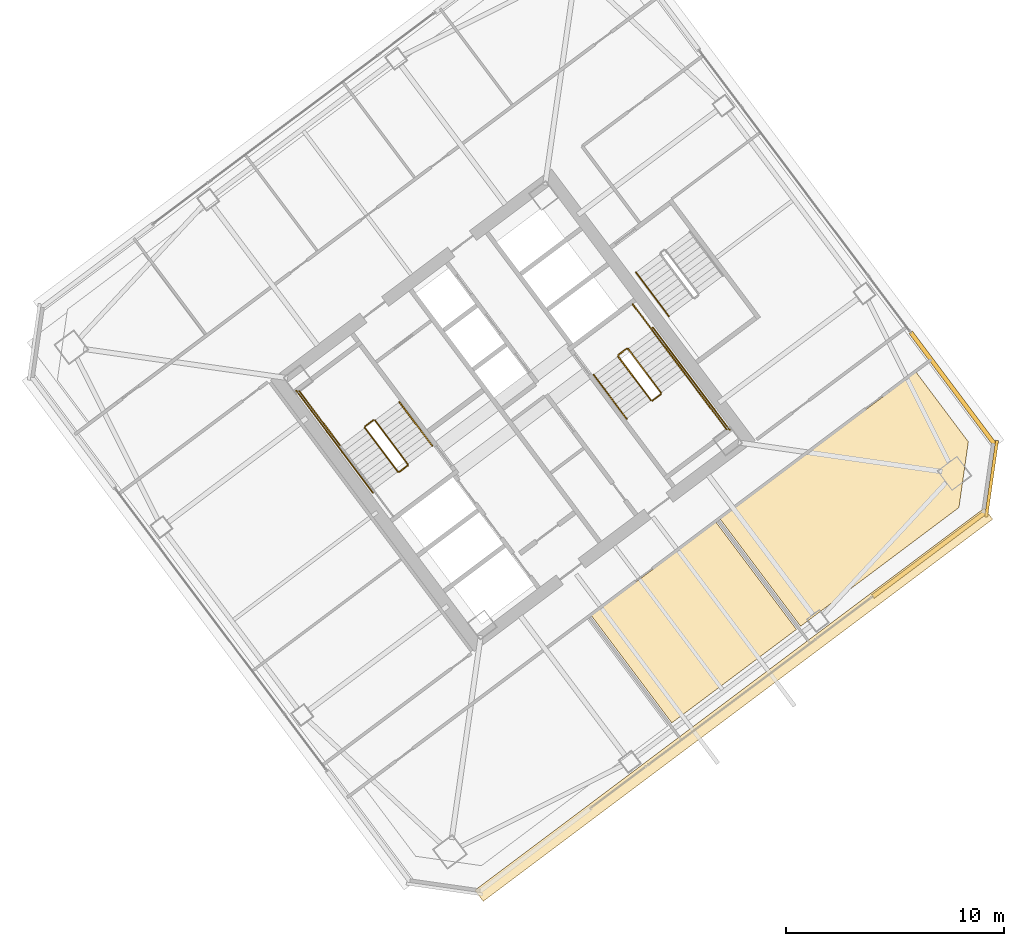
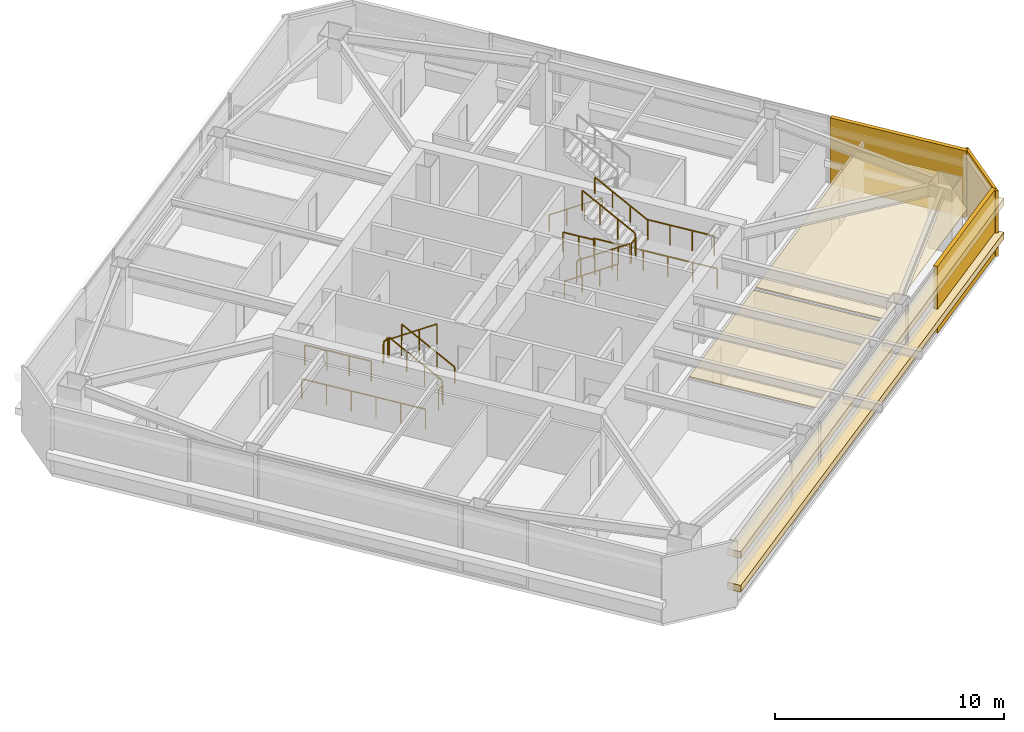
# One storey, part 40 of 42: 17 railings, 7 coverings.
"""IFC4 building model written with IfcOpenShell, lengths in metres."""

from ifc_helpers import new_model, si_unit, direction, frame, origin, origin_2d, place, context, subcontext, project, spatial, polyline, rectangle, outline, extrude, material, layer, layer_set, type_object, element, save


model = new_model("IFC4")

# Units and contexts
model_context = context("Model", 3, precision=1e-05, world=origin(), true_north=direction((0.0, 1.0)))
body_context = subcontext(model_context, "Body", "Model", "MODEL_VIEW")
ifc_project = project(units=[si_unit("LENGTHUNIT", "METRE"), si_unit("AREAUNIT", "SQUARE_METRE"), si_unit("VOLUMEUNIT", "CUBIC_METRE"), si_unit("PLANEANGLEUNIT", "RADIAN"), si_unit("MASSUNIT", "GRAM", prefix="KILO")], contexts=[model_context])

# Site, building, storey
site_placement = place(None, origin())
site = spatial("IfcSite", under=ifc_project, at=site_placement, CompositionType="ELEMENT")
building_placement = place(site_placement, origin())
building = spatial("IfcBuilding", under=site, at=building_placement, Name="Tashvorn Skyway Center", CompositionType="ELEMENT")
storey_placement = place(building_placement, frame((0.0, 0.0, 164.10009765625)))
storey = spatial("IfcBuildingStorey", under=building, at=storey_placement, Name="L44", CompositionType="ELEMENT", Elevation=164.10009765625)

# Coverings
ifc_material_1 = material(Name="Precast concrete C40/50", Category="concrete")
ifc_layer_1 = layer(ifc_material_1, 0.199951171875)
ifc_layer_set_1 = layer_set([ifc_layer_1], Name="Precast concrete C40/50")
covering_type_1 = type_object("IfcCoveringType", Name="COV-BRACE-CLAD", PredefinedType="CLADDING", material=ifc_layer_set_1)
for number, where, z_axis, x_axis, name in (
    (1, (133.139892578125, 25.3798828125, 0.0), (0.0, 0.0, 1.0), (-0.799999996291, -0.600000004945, 0.0), "Tower 2 L44 South Unitised Curtain Wall Mega-Brace Cladding Band 1"),
    (2, (134.22802734375, 32.99609375, 0.0), (0.0, 0.0, 1.0), (0.600000004945, -0.799999996291, 0.0), "Tower 2 L44 East Unitised Curtain Wall Mega-Brace Cladding Band 2"),
):
    element("IfcCovering", number, at=place(storey_placement, frame(where, z_axis=z_axis, x_axis=x_axis)), inside=storey, type_object=covering_type_1, Name=name, PredefinedType="CLADDING", context=body_context, shape_type="SweptSolid", body=[
        extrude(rectangle(XDim=6.47998046875, YDim=0.199951171875, at=origin_2d()), origin(), (0.0, 0.0, 1.0), 3.550048828125),
    ])
ifc_material_2 = material(Name="Mineral-fibre acoustic ceiling tile on suspended grid")
ifc_layer_2 = layer(ifc_material_2, 0.02001953125)
ifc_layer_set_2 = layer_set([ifc_layer_2], Name="Mineral-fibre acoustic ceiling tile on suspended grid")
covering_type_2 = type_object("IfcCoveringType", Name="COV-CEIL-20", PredefinedType="CEILING", material=ifc_layer_set_2)
covering_1_placement = place(storey_placement, frame((0.0, 0.0, 2.702880859375)))
element("IfcCovering", 3, at=covering_1_placement, inside=storey, type_object=covering_type_2, Name="Tower 2 L44 Staff Fitness Club Acoustic Ceiling", PredefinedType="CEILING", context=body_context, shape_type="SweptSolid", body=[
    extrude(outline(polyline([(117.60205078125, 22.56396484375), (123.330078125, 26.860107421875), (127.031982421875, 21.924072265625), (121.303955078125, 17.6279296875), (117.60205078125, 22.56396484375)])), origin(), (0.0, 0.0, 1.0), 0.02001953125),
])
covering_2_placement = place(storey_placement, frame((0.0, 0.0, 2.702880859375)))
element("IfcCovering", 4, at=covering_2_placement, inside=storey, type_object=covering_type_2, Name="Tower 2 L44 Staff Fitness Club Acoustic Ceiling", PredefinedType="CEILING", context=body_context, shape_type="SweptSolid", body=[
    extrude(outline(polyline([(127.22412109375, 22.068115234375), (123.52197265625, 27.00390625), (132.530029296875, 33.760009765625), (134.93603515625, 30.552001953125), (134.50390625, 27.528076171875), (127.22412109375, 22.068115234375)])), origin(), (0.0, 0.0, 1.0), 0.02001953125),
])
ifc_material_3 = material(Name="Perforated ceramic-coated bronze aluminium solar screen", Category="aluminium")
ifc_layer_3 = layer(ifc_material_3, 0.85009765625)
ifc_layer_set_3 = layer_set([ifc_layer_3], Name="Perforated ceramic-coated bronze aluminium solar screen")
covering_type_3 = type_object("IfcCoveringType", Name="COV-SOLAR-BAND", PredefinedType="CLADDING", material=ifc_layer_set_3)
for number, where, z_axis, x_axis, name in (
    (5, (124.152099609375, 18.464111328125, 0.919921875), (0.0, 0.0, 1.0), (-0.799999996291, -0.600000004945, 0.0), "L44 Perforated Ceramic-Metal Solar Screen Louvre Band South 1"),
    (6, (124.152099609375, 18.464111328125, 2.7197265625), (0.0, 0.0, 1.0), (-0.799999996291, -0.600000004945, 0.0), "L44 Perforated Ceramic-Metal Solar Screen Louvre Band South 2"),
):
    element("IfcCovering", number, at=place(storey_placement, frame(where, z_axis=z_axis, x_axis=x_axis)), inside=storey, type_object=covering_type_3, Name=name, PredefinedType="CLADDING", context=body_context, shape_type="SweptSolid", body=[
        extrude(rectangle(XDim=29.280029296875, YDim=0.639892578125, at=origin_2d()), origin(), (0.0, 0.0, 1.0), 0.360107421875),
    ])
ifc_layer_4 = layer(ifc_material_1, 0.35009765625)
ifc_layer_set_4 = layer_set([ifc_layer_4], Name="Precast concrete C40/50")
covering_type_4 = type_object("IfcCoveringType", Name="COV-STONE-TRIM", PredefinedType="CLADDING", material=ifc_layer_set_4)
covering_3_placement = place(storey_placement, frame((136.008056640625, 28.85595703125, 0.02001953125), z_axis=(0.0, 0.0, 1.0), x_axis=(0.141421350118, 0.989949494535, 0.0)))
element("IfcCovering", 7, at=covering_3_placement, inside=storey, type_object=covering_type_4, Name="Tower 2 L44 SE Mojave Limestone Corner Quoin", PredefinedType="CLADDING", context=body_context, shape_type="SweptSolid", body=[
    extrude(rectangle(XDim=3.55419921875, YDim=0.139892578125, at=origin_2d()), origin(), (0.0, 0.0, 1.0), 3.510009765625),
])

# Railings
ifc_material_4 = material(Name="Brushed stainless steel 316", Category="steel")
railing_type_1 = type_object("IfcRailingType", Name="RAIL-HAND-920", PredefinedType="HANDRAIL", material=ifc_material_4)
railing_1_placement = place(storey_placement, frame((110.2880859375, 30.365966796875, 0.177490234375)))
element("IfcRailing", 8, at=railing_1_placement, inside=storey, type_object=railing_type_1, Name="L44 ST-T2-1 stair handrail 1", PredefinedType="HANDRAIL", context=body_context, shape_type="SweptSolid", body=[
    extrude(rectangle(XDim=0.048095703125, YDim=0.048095703125, at=origin_2d()), frame((0.0, 0.0, 0.8759765625), z_axis=(-0.506801609611, 0.675680931896, 0.535357270211), x_axis=(-0.799976749893, -0.600030998891, 0.0)), (0.0, 0.0, 1.0), 2.98388671875),
    extrude(rectangle(XDim=0.0419921875, YDim=0.0419921875, at=origin_2d()), origin(), (0.0, 0.0, 1.0), 0.851806640625),
    extrude(rectangle(XDim=0.0419921875, YDim=0.0419921875, at=origin_2d()), frame((-0.504150390625, 0.672119140625, 0.532470703125)), (0.0, 0.0, 1.0), 0.851806640625),
    extrude(rectangle(XDim=0.0419921875, YDim=0.0419921875, at=origin_2d()), frame((-1.008056640625, 1.343994140625, 1.06494140625)), (0.0, 0.0, 1.0), 0.851806640625),
    extrude(rectangle(XDim=0.0419921875, YDim=0.0419921875, at=origin_2d()), frame((-1.51220703125, 2.01611328125, 1.597412109375)), (0.0, 0.0, 1.0), 0.851806640625),
])
railing_2_placement = place(storey_placement, frame((117.7119140625, 33.634033203125, 0.177490234375)))
element("IfcRailing", 9, at=railing_2_placement, inside=storey, type_object=railing_type_1, Name="L44 ST-T2-2 stair handrail 1", PredefinedType="HANDRAIL", context=body_context, shape_type="SweptSolid", body=[
    extrude(rectangle(XDim=0.048095703125, YDim=0.048095703125, at=origin_2d()), frame((0.0, 0.0, 0.8759765625), z_axis=(0.506801609611, -0.675680931896, 0.535357270211), x_axis=(0.799976749893, 0.600030998891, 0.0)), (0.0, 0.0, 1.0), 2.98388671875),
    extrude(rectangle(XDim=0.0419921875, YDim=0.0419921875, at=origin_2d()), origin(), (0.0, 0.0, 1.0), 0.851806640625),
    extrude(rectangle(XDim=0.0419921875, YDim=0.0419921875, at=origin_2d()), frame((0.504150390625, -0.672119140625, 0.532470703125)), (0.0, 0.0, 1.0), 0.851806640625),
    extrude(rectangle(XDim=0.0419921875, YDim=0.0419921875, at=origin_2d()), frame((1.008056640625, -1.343994140625, 1.06494140625)), (0.0, 0.0, 1.0), 0.851806640625),
    extrude(rectangle(XDim=0.0419921875, YDim=0.0419921875, at=origin_2d()), frame((1.51220703125, -2.01611328125, 1.597412109375)), (0.0, 0.0, 1.0), 0.851806640625),
])
railing_3_placement = place(storey_placement, frame((121.927978515625, 33.64599609375, 1.952392578125)))
element("IfcRailing", 10, at=railing_3_placement, inside=storey, type_object=railing_type_1, Name="L44 ST-T2-2 stair handrail 2", PredefinedType="HANDRAIL", context=body_context, shape_type="SweptSolid", body=[
    extrude(rectangle(XDim=0.048095703125, YDim=0.048095703125, at=origin_2d()), frame((0.0, 0.0, 0.8759765625), z_axis=(-0.506740800098, 0.675708949977, 0.535379469569), x_axis=(-0.800023250257, -0.599968998406, 0.0)), (0.0, 0.0, 1.0), 2.983642578125),
    extrude(rectangle(XDim=0.0419921875, YDim=0.0419921875, at=origin_2d()), origin(), (0.0, 0.0, 1.0), 0.851806640625),
    extrude(rectangle(XDim=0.0419921875, YDim=0.0419921875, at=origin_2d()), frame((-0.50390625, 0.672119140625, 0.532470703125)), (0.0, 0.0, 1.0), 0.851806640625),
    extrude(rectangle(XDim=0.0419921875, YDim=0.0419921875, at=origin_2d()), frame((-1.008056640625, 1.343994140625, 1.06494140625)), (0.0, 0.0, 1.0), 0.851806640625),
    extrude(rectangle(XDim=0.0419921875, YDim=0.0419921875, at=origin_2d()), frame((-1.511962890625, 2.01611328125, 1.597412109375)), (0.0, 0.0, 1.0), 0.851806640625),
])
railing_4_placement = place(storey_placement, frame((119.656005859375, 38.342041015625, 0.177490234375)))
element("IfcRailing", 11, at=railing_4_placement, inside=storey, type_object=railing_type_1, Name="L44 ST-T2-3 stair handrail 1", PredefinedType="HANDRAIL", context=body_context, shape_type="SweptSolid", body=[
    extrude(rectangle(XDim=0.048095703125, YDim=0.048095703125, at=origin_2d()), frame((0.0, 0.0, 0.8759765625), z_axis=(0.506740800098, -0.675708949977, 0.535379469569), x_axis=(0.800023250257, 0.599968998406, 0.0)), (0.0, 0.0, 1.0), 2.983642578125),
    extrude(rectangle(XDim=0.0419921875, YDim=0.0419921875, at=origin_2d()), origin(), (0.0, 0.0, 1.0), 0.851806640625),
    extrude(rectangle(XDim=0.0419921875, YDim=0.0419921875, at=origin_2d()), frame((0.50390625, -0.672119140625, 0.532470703125)), (0.0, 0.0, 1.0), 0.851806640625),
    extrude(rectangle(XDim=0.0419921875, YDim=0.0419921875, at=origin_2d()), frame((1.008056640625, -1.343994140625, 1.06494140625)), (0.0, 0.0, 1.0), 0.851806640625),
    extrude(rectangle(XDim=0.0419921875, YDim=0.0419921875, at=origin_2d()), frame((1.511962890625, -2.01611328125, 1.597412109375)), (0.0, 0.0, 1.0), 0.851806640625),
])
ifc_material_5 = material(Name="Painted galvanized steel S355", Category="steel")
railing_type_2 = type_object("IfcRailingType", Name="RAIL-STGUARD-1100", PredefinedType="GUARDRAIL", material=ifc_material_5)
railing_5_placement = place(storey_placement, frame((109.16796875, 29.52587890625, 0.177490234375)))
element("IfcRailing", 12, at=railing_5_placement, inside=storey, type_object=railing_type_2, Name="L44 ST-T2-1 stair guard 1", PredefinedType="GUARDRAIL", context=body_context, shape_type="SweptSolid", body=[
    extrude(rectangle(XDim=0.048095703125, YDim=0.048095703125, at=origin_2d()), frame((0.0, 0.0, 1.076171875), z_axis=(-0.506740800098, 0.675708949977, 0.535379469569), x_axis=(-0.800023250257, -0.599968998406, 0.0)), (0.0, 0.0, 1.0), 2.983642578125),
    extrude(rectangle(XDim=0.0419921875, YDim=0.0419921875, at=origin_2d()), origin(), (0.0, 0.0, 1.0), 1.052001953125),
    extrude(rectangle(XDim=0.0419921875, YDim=0.0419921875, at=origin_2d()), frame((-0.50390625, 0.672119140625, 0.532470703125)), (0.0, 0.0, 1.0), 1.052001953125),
    extrude(rectangle(XDim=0.0419921875, YDim=0.0419921875, at=origin_2d()), frame((-1.008056640625, 1.343994140625, 1.06494140625)), (0.0, 0.0, 1.0), 1.052001953125),
    extrude(rectangle(XDim=0.0419921875, YDim=0.0419921875, at=origin_2d()), frame((-1.511962890625, 2.01611328125, 1.597412109375)), (0.0, 0.0, 1.0), 1.052001953125),
])
railing_6_placement = place(storey_placement, frame((107.5859375, 31.552001953125, 1.77490234375)))
element("IfcRailing", 13, at=railing_6_placement, inside=storey, type_object=railing_type_2, Name="L44 ST-T2-1 stair guard 2", PredefinedType="GUARDRAIL", context=body_context, shape_type="SweptSolid", body=[
    extrude(rectangle(XDim=0.048095703125, YDim=0.048095703125, at=origin_2d()), frame((0.0, 0.0, 1.076171875), z_axis=(-0.799938970639, -0.600081363861, 0.0), x_axis=(0.600081363861, -0.799938970639, 0.0)), (0.0, 0.0, 1.0), 0.47998046875),
    extrude(rectangle(XDim=0.0419921875, YDim=0.0419921875, at=origin_2d()), origin(), (0.0, 0.0, 1.0), 1.052001953125),
    extrude(rectangle(XDim=0.0419921875, YDim=0.0419921875, at=origin_2d()), frame((-0.384033203125, -0.2880859375, 0.0)), (0.0, 0.0, 1.0), 1.052001953125),
])
railing_7_placement = place(storey_placement, frame((106.072021484375, 30.35400390625, 1.77490234375)))
element("IfcRailing", 14, at=railing_7_placement, inside=storey, type_object=railing_type_2, Name="L44 ST-T2-1 stair guard 3", PredefinedType="GUARDRAIL", context=body_context, shape_type="SweptSolid", body=[
    extrude(rectangle(XDim=0.048095703125, YDim=0.048095703125, at=origin_2d()), frame((0.0, 0.0, 1.076171875), z_axis=(-0.599987638607, 0.800009270896, 0.0), x_axis=(-0.800009270896, -0.599987638607, 0.0)), (0.0, 0.0, 1.0), 3.16015625),
    extrude(rectangle(XDim=0.0419921875, YDim=0.0419921875, at=origin_2d()), origin(), (0.0, 0.0, 1.0), 1.052001953125),
    extrude(rectangle(XDim=0.0419921875, YDim=0.0419921875, at=origin_2d()), frame((-0.632080078125, 0.8427734375, 0.0)), (0.0, 0.0, 1.0), 1.052001953125),
    extrude(rectangle(XDim=0.0419921875, YDim=0.0419921875, at=origin_2d()), frame((-1.263916015625, 1.685302734375, 0.0)), (0.0, 0.0, 1.0), 1.052001953125),
    extrude(rectangle(XDim=0.0419921875, YDim=0.0419921875, at=origin_2d()), frame((-1.89599609375, 2.528076171875, 0.0)), (0.0, 0.0, 1.0), 1.052001953125),
])
railing_8_placement = place(storey_placement, frame((107.19189453125, 31.194091796875, 1.952392578125)))
element("IfcRailing", 15, at=railing_8_placement, inside=storey, type_object=railing_type_2, Name="L44 ST-T2-1 stair guard 4", PredefinedType="GUARDRAIL", context=body_context, shape_type="SweptSolid", body=[
    extrude(rectangle(XDim=0.048095703125, YDim=0.048095703125, at=origin_2d()), frame((0.0, 0.0, 1.076171875), z_axis=(0.506801609611, -0.675680931896, 0.535357270211), x_axis=(0.799976749893, 0.600030998891, 0.0)), (0.0, 0.0, 1.0), 2.98388671875),
    extrude(rectangle(XDim=0.0419921875, YDim=0.0419921875, at=origin_2d()), origin(), (0.0, 0.0, 1.0), 1.052001953125),
    extrude(rectangle(XDim=0.0419921875, YDim=0.0419921875, at=origin_2d()), frame((0.504150390625, -0.672119140625, 0.532470703125)), (0.0, 0.0, 1.0), 1.052001953125),
    extrude(rectangle(XDim=0.0419921875, YDim=0.0419921875, at=origin_2d()), frame((1.008056640625, -1.343994140625, 1.06494140625)), (0.0, 0.0, 1.0), 1.052001953125),
    extrude(rectangle(XDim=0.0419921875, YDim=0.0419921875, at=origin_2d()), frame((1.51220703125, -2.01611328125, 1.597412109375)), (0.0, 0.0, 1.0), 1.052001953125),
])
railing_9_placement = place(storey_placement, frame((109.157958984375, 29.4560546875, 0.0)))
element("IfcRailing", 16, at=railing_9_placement, inside=storey, type_object=railing_type_2, Name="L44 ST-T2-1 stair guard 5", PredefinedType="GUARDRAIL", context=body_context, shape_type="SweptSolid", body=[
    extrude(rectangle(XDim=0.048095703125, YDim=0.048095703125, at=origin_2d()), frame((0.0, 0.0, 1.076171875), z_axis=(-0.799938970639, -0.600081363861, 0.0), x_axis=(0.600081363861, -0.799938970639, 0.0)), (0.0, 0.0, 1.0), 0.47998046875),
    extrude(rectangle(XDim=0.0419921875, YDim=0.0419921875, at=origin_2d()), origin(), (0.0, 0.0, 1.0), 1.052001953125),
    extrude(rectangle(XDim=0.0419921875, YDim=0.0419921875, at=origin_2d()), frame((-0.384033203125, -0.2880859375, 0.0)), (0.0, 0.0, 1.0), 1.052001953125),
])
railing_10_placement = place(storey_placement, frame((107.56396484375, 28.197998046875, 0.0)))
element("IfcRailing", 17, at=railing_10_placement, inside=storey, type_object=railing_type_2, Name="L44 ST-T2-1 stair guard 7", PredefinedType="GUARDRAIL", context=body_context, shape_type="SweptSolid", body=[
    extrude(rectangle(XDim=0.048095703125, YDim=0.048095703125, at=origin_2d()), frame((0.0, 0.0, 1.076171875), z_axis=(-0.6, 0.8, 0.0), x_axis=(-0.8, -0.6, 0.0)), (0.0, 0.0, 1.0), 5.880126953125),
    extrude(rectangle(XDim=0.0419921875, YDim=0.0419921875, at=origin_2d()), origin(), (0.0, 0.0, 1.0), 1.052001953125),
    extrude(rectangle(XDim=0.0419921875, YDim=0.0419921875, at=origin_2d()), frame((-0.70556640625, 0.94091796875, 0.0)), (0.0, 0.0, 1.0), 1.052001953125),
    extrude(rectangle(XDim=0.0419921875, YDim=0.0419921875, at=origin_2d()), frame((-1.4111328125, 1.881591796875, 0.0)), (0.0, 0.0, 1.0), 1.052001953125),
    extrude(rectangle(XDim=0.0419921875, YDim=0.0419921875, at=origin_2d()), frame((-2.116943359375, 2.822509765625, 0.0)), (0.0, 0.0, 1.0), 1.052001953125),
    extrude(rectangle(XDim=0.0419921875, YDim=0.0419921875, at=origin_2d()), frame((-2.822509765625, 3.76318359375, 0.0)), (0.0, 0.0, 1.0), 1.052001953125),
    extrude(rectangle(XDim=0.0419921875, YDim=0.0419921875, at=origin_2d()), frame((-3.528076171875, 4.7041015625, 0.0)), (0.0, 0.0, 1.0), 1.052001953125),
])
railing_11_placement = place(storey_placement, frame((118.83203125, 34.47412109375, 0.177490234375)))
element("IfcRailing", 18, at=railing_11_placement, inside=storey, type_object=railing_type_2, Name="L44 ST-T2-2 stair guard 1", PredefinedType="GUARDRAIL", context=body_context, shape_type="SweptSolid", body=[
    extrude(rectangle(XDim=0.048095703125, YDim=0.048095703125, at=origin_2d()), frame((0.0, 0.0, 1.076171875), z_axis=(0.506740800098, -0.675708949977, 0.535379469569), x_axis=(0.800023250257, 0.599968998406, 0.0)), (0.0, 0.0, 1.0), 2.983642578125),
    extrude(rectangle(XDim=0.0419921875, YDim=0.0419921875, at=origin_2d()), origin(), (0.0, 0.0, 1.0), 1.052001953125),
    extrude(rectangle(XDim=0.0419921875, YDim=0.0419921875, at=origin_2d()), frame((0.50390625, -0.672119140625, 0.532470703125)), (0.0, 0.0, 1.0), 1.052001953125),
    extrude(rectangle(XDim=0.0419921875, YDim=0.0419921875, at=origin_2d()), frame((1.008056640625, -1.343994140625, 1.06494140625)), (0.0, 0.0, 1.0), 1.052001953125),
    extrude(rectangle(XDim=0.0419921875, YDim=0.0419921875, at=origin_2d()), frame((1.511962890625, -2.01611328125, 1.597412109375)), (0.0, 0.0, 1.0), 1.052001953125),
])
railing_12_placement = place(storey_placement, frame((120.4140625, 32.447998046875, 1.77490234375)))
element("IfcRailing", 19, at=railing_12_placement, inside=storey, type_object=railing_type_2, Name="L44 ST-T2-2 stair guard 2", PredefinedType="GUARDRAIL", context=body_context, shape_type="SweptSolid", body=[
    extrude(rectangle(XDim=0.048095703125, YDim=0.048095703125, at=origin_2d()), frame((0.0, 0.0, 1.076171875), z_axis=(0.799938970639, 0.600081363861, 0.0), x_axis=(-0.600081363861, 0.799938970639, 0.0)), (0.0, 0.0, 1.0), 0.47998046875),
    extrude(rectangle(XDim=0.0419921875, YDim=0.0419921875, at=origin_2d()), origin(), (0.0, 0.0, 1.0), 1.052001953125),
    extrude(rectangle(XDim=0.0419921875, YDim=0.0419921875, at=origin_2d()), frame((0.384033203125, 0.2880859375, 0.0)), (0.0, 0.0, 1.0), 1.052001953125),
])
railing_13_placement = place(storey_placement, frame((121.927978515625, 33.64599609375, 1.77490234375)))
element("IfcRailing", 20, at=railing_13_placement, inside=storey, type_object=railing_type_2, Name="L44 ST-T2-2 stair guard 3", PredefinedType="GUARDRAIL", context=body_context, shape_type="SweptSolid", body=[
    extrude(rectangle(XDim=0.048095703125, YDim=0.048095703125, at=origin_2d()), frame((0.0, 0.0, 1.076171875), z_axis=(0.599987638607, -0.800009270896, 0.0), x_axis=(0.800009270896, 0.599987638607, 0.0)), (0.0, 0.0, 1.0), 3.16015625),
    extrude(rectangle(XDim=0.0419921875, YDim=0.0419921875, at=origin_2d()), origin(), (0.0, 0.0, 1.0), 1.052001953125),
    extrude(rectangle(XDim=0.0419921875, YDim=0.0419921875, at=origin_2d()), frame((0.632080078125, -0.8427734375, 0.0)), (0.0, 0.0, 1.0), 1.052001953125),
    extrude(rectangle(XDim=0.0419921875, YDim=0.0419921875, at=origin_2d()), frame((1.263916015625, -1.685302734375, 0.0)), (0.0, 0.0, 1.0), 1.052001953125),
    extrude(rectangle(XDim=0.0419921875, YDim=0.0419921875, at=origin_2d()), frame((1.89599609375, -2.528076171875, 0.0)), (0.0, 0.0, 1.0), 1.052001953125),
])
railing_14_placement = place(storey_placement, frame((120.80810546875, 32.805908203125, 1.952392578125)))
element("IfcRailing", 21, at=railing_14_placement, inside=storey, type_object=railing_type_2, Name="L44 ST-T2-2 stair guard 4", PredefinedType="GUARDRAIL", context=body_context, shape_type="SweptSolid", body=[
    extrude(rectangle(XDim=0.048095703125, YDim=0.048095703125, at=origin_2d()), frame((0.0, 0.0, 1.076171875), z_axis=(-0.506801609611, 0.675680931896, 0.535357270211), x_axis=(-0.799976749893, -0.600030998891, 0.0)), (0.0, 0.0, 1.0), 2.98388671875),
    extrude(rectangle(XDim=0.0419921875, YDim=0.0419921875, at=origin_2d()), origin(), (0.0, 0.0, 1.0), 1.052001953125),
    extrude(rectangle(XDim=0.0419921875, YDim=0.0419921875, at=origin_2d()), frame((-0.504150390625, 0.672119140625, 0.532470703125)), (0.0, 0.0, 1.0), 1.052001953125),
    extrude(rectangle(XDim=0.0419921875, YDim=0.0419921875, at=origin_2d()), frame((-1.008056640625, 1.343994140625, 1.06494140625)), (0.0, 0.0, 1.0), 1.052001953125),
    extrude(rectangle(XDim=0.0419921875, YDim=0.0419921875, at=origin_2d()), frame((-1.51220703125, 2.01611328125, 1.597412109375)), (0.0, 0.0, 1.0), 1.052001953125),
])
railing_15_placement = place(storey_placement, frame((118.842041015625, 34.5439453125, 0.0)))
element("IfcRailing", 22, at=railing_15_placement, inside=storey, type_object=railing_type_2, Name="L44 ST-T2-2 stair guard 5", PredefinedType="GUARDRAIL", context=body_context, shape_type="SweptSolid", body=[
    extrude(rectangle(XDim=0.048095703125, YDim=0.048095703125, at=origin_2d()), frame((0.0, 0.0, 1.076171875), z_axis=(0.799938970639, 0.600081363861, 0.0), x_axis=(-0.600081363861, 0.799938970639, 0.0)), (0.0, 0.0, 1.0), 0.47998046875),
    extrude(rectangle(XDim=0.0419921875, YDim=0.0419921875, at=origin_2d()), origin(), (0.0, 0.0, 1.0), 1.052001953125),
    extrude(rectangle(XDim=0.0419921875, YDim=0.0419921875, at=origin_2d()), frame((0.384033203125, 0.2880859375, 0.0)), (0.0, 0.0, 1.0), 1.052001953125),
])
railing_16_placement = place(storey_placement, frame((119.50390625, 36.8779296875, 0.0)))
element("IfcRailing", 23, at=railing_16_placement, inside=storey, type_object=railing_type_2, Name="L44 ST-T2-2 stair guard 6", PredefinedType="GUARDRAIL", context=body_context, shape_type="SweptSolid", body=[
    extrude(rectangle(XDim=0.048095703125, YDim=0.048095703125, at=origin_2d()), frame((0.0, 0.0, 1.076171875), z_axis=(0.600102796382, -0.799922892393, 0.0), x_axis=(0.799922892393, 0.600102796382, 0.0)), (0.0, 0.0, 1.0), 1.52001953125),
    extrude(rectangle(XDim=0.0419921875, YDim=0.0419921875, at=origin_2d()), origin(), (0.0, 0.0, 1.0), 1.052001953125),
    extrude(rectangle(XDim=0.0419921875, YDim=0.0419921875, at=origin_2d()), frame((0.4560546875, -0.60791015625, 0.0)), (0.0, 0.0, 1.0), 1.052001953125),
    extrude(rectangle(XDim=0.0419921875, YDim=0.0419921875, at=origin_2d()), frame((0.912109375, -1.2158203125, 0.0)), (0.0, 0.0, 1.0), 1.052001953125),
])
railing_17_placement = place(storey_placement, frame((120.43603515625, 35.802001953125, 0.0)))
element("IfcRailing", 24, at=railing_17_placement, inside=storey, type_object=railing_type_2, Name="L44 ST-T2-2 stair guard 7", PredefinedType="GUARDRAIL", context=body_context, shape_type="SweptSolid", body=[
    extrude(rectangle(XDim=0.048095703125, YDim=0.048095703125, at=origin_2d()), frame((0.0, 0.0, 1.076171875), z_axis=(0.6, -0.8, 0.0), x_axis=(0.8, 0.6, 0.0)), (0.0, 0.0, 1.0), 5.880126953125),
    extrude(rectangle(XDim=0.0419921875, YDim=0.0419921875, at=origin_2d()), origin(), (0.0, 0.0, 1.0), 1.052001953125),
    extrude(rectangle(XDim=0.0419921875, YDim=0.0419921875, at=origin_2d()), frame((0.70556640625, -0.94091796875, 0.0)), (0.0, 0.0, 1.0), 1.052001953125),
    extrude(rectangle(XDim=0.0419921875, YDim=0.0419921875, at=origin_2d()), frame((1.4111328125, -1.881591796875, 0.0)), (0.0, 0.0, 1.0), 1.052001953125),
    extrude(rectangle(XDim=0.0419921875, YDim=0.0419921875, at=origin_2d()), frame((2.116943359375, -2.822509765625, 0.0)), (0.0, 0.0, 1.0), 1.052001953125),
    extrude(rectangle(XDim=0.0419921875, YDim=0.0419921875, at=origin_2d()), frame((2.822509765625, -3.76318359375, 0.0)), (0.0, 0.0, 1.0), 1.052001953125),
    extrude(rectangle(XDim=0.0419921875, YDim=0.0419921875, at=origin_2d()), frame((3.528076171875, -4.7041015625, 0.0)), (0.0, 0.0, 1.0), 1.052001953125),
])

save(model, "model.ifc")
